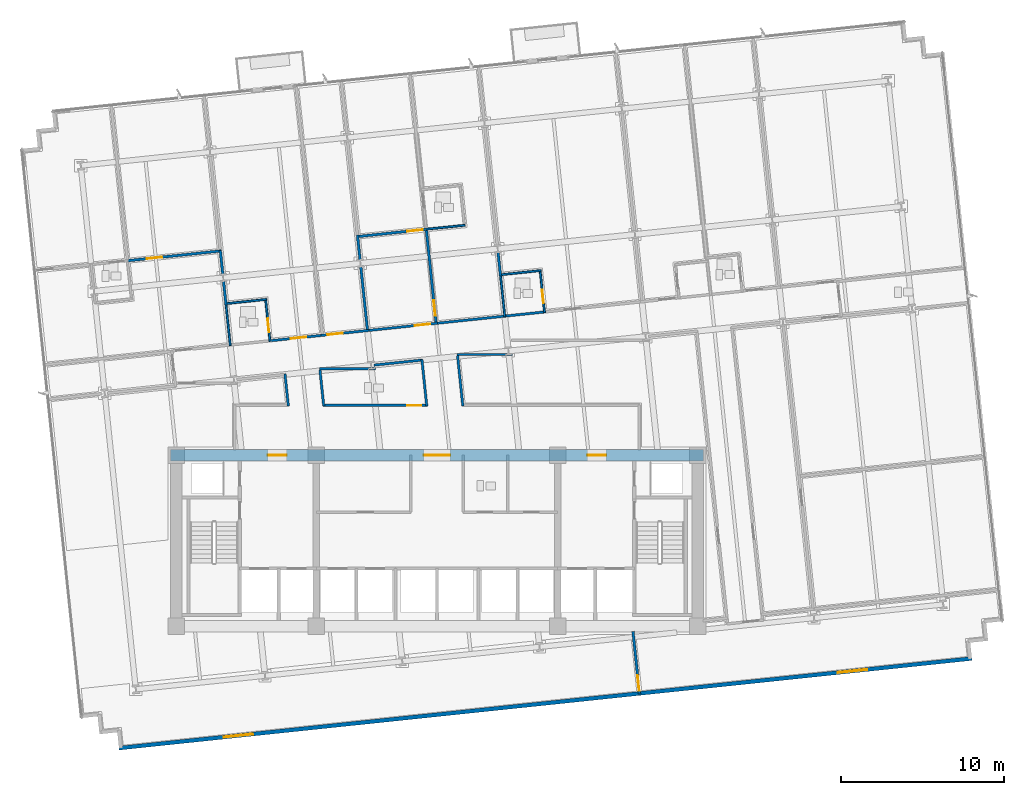
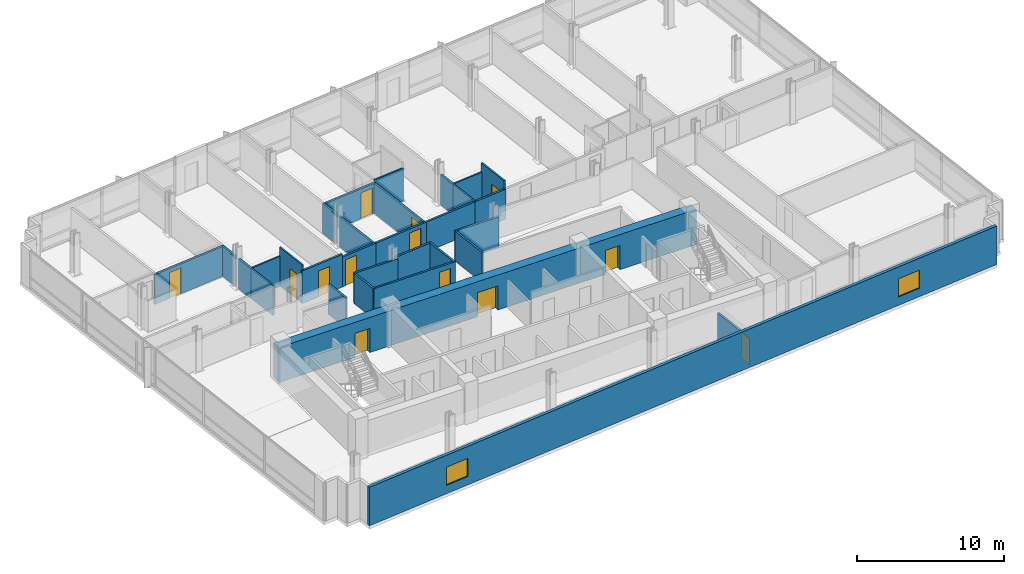
# One storey, part 11 of 19: 31 walls, 13 doors, 2 windows, 15 openings.
"""IFC4 building model written with IfcOpenShell, lengths in metres."""

from ifc_helpers import new_model, si_unit, direction, frame, frame_2d, origin, place, context, subcontext, project, spatial, rectangle, extrude, material, layer, layer_set, type_object, element, fill, save


model = new_model("IFC4")

# Units and contexts
model_context = context("Model", 3, precision=1e-05, world=origin(), true_north=direction((0.0, 1.0)))
body_context = subcontext(model_context, "Body", "Model", "MODEL_VIEW")
ifc_project = project(units=[si_unit("LENGTHUNIT", "METRE"), si_unit("AREAUNIT", "SQUARE_METRE"), si_unit("VOLUMEUNIT", "CUBIC_METRE"), si_unit("PLANEANGLEUNIT", "RADIAN"), si_unit("MASSUNIT", "GRAM", prefix="KILO")], contexts=[model_context])

# Site, building, storey
site_placement = place(None, origin())
site = spatial("IfcSite", under=ifc_project, at=site_placement, CompositionType="ELEMENT")
building_placement = place(site_placement, origin())
building = spatial("IfcBuilding", under=site, at=building_placement, Name="Solmavex Isthmus Hotel", CompositionType="ELEMENT")
storey_placement = place(building_placement, frame((0.0, 0.0, 83.550048828125)))
storey = spatial("IfcBuildingStorey", under=building, at=storey_placement, Name="L22", CompositionType="ELEMENT", Elevation=83.550048828125)

# Wall, openings, windows
ifc_material_1 = material(Name="Precast Concrete C40/50", Category="concrete")
ifc_layer_1 = layer(ifc_material_1, 0.25)
ifc_layer_set_1 = layer_set([ifc_layer_1], Name="Precast Concrete C40/50")
wall_type_1 = type_object("IfcWallType", Name="EW-TWR-250", PredefinedType="STANDARD", material=ifc_layer_set_1)
wall_1_placement = place(storey_placement, frame((-19.504150390625, -20.4716796875, 0.0), z_axis=(0.0, 0.0, 1.0), x_axis=(0.994521743132, 0.104529911687, 0.0)))
wall_1 = element("IfcWall", 1, at=wall_1_placement, inside=storey, type_object=wall_type_1, Name="Tower Rear South Facade Wall L22", PredefinedType="STANDARD", context=body_context, shape_type="SweptSolid", body=[
    extrude(rectangle(XDim=52.60009765625, YDim=0.239990234375, at=frame_2d((26.300048828125, 0.0))), origin(), (0.0, 0.0, 1.0), 3.18994140625),
])
opening_1_placement = place(wall_1_placement, frame((6.464111328125, 0.0, 0.699951171875)))
opening_1 = element("IfcOpeningElement", 2, at=opening_1_placement, cuts=wall_1, Name="Opening WN-02", PredefinedType="OPENING", context=body_context, shape_type="SweptSolid", body=[
    extrude(rectangle(XDim=1.800048828125, YDim=1.5, at=frame_2d((0.89990234375, 0.75))), frame((0.0, 0.1298828125, 0.0), z_axis=(0.0, -1.0, 0.0), x_axis=(1.0, 0.0, 0.0)), (0.0, 0.0, 1.0), 0.260009765625),
])
opening_2_placement = place(wall_1_placement, frame((44.3359375, 0.0, 0.699951171875)))
opening_2 = element("IfcOpeningElement", 3, at=opening_2_placement, cuts=wall_1, Name="Opening WN-02", PredefinedType="OPENING", context=body_context, shape_type="SweptSolid", body=[
    extrude(rectangle(XDim=1.800048828125, YDim=1.5, at=frame_2d((0.89990234375, 0.75))), frame((0.0, 0.1298828125, 0.0), z_axis=(0.0, -1.0, 0.0), x_axis=(1.0, 0.0, 0.0)), (0.0, 0.0, 1.0), 0.260009765625),
])
ifc_material_2 = material(Name="Clear low-E laminated glass", Category="glass")
window_type = type_object("IfcWindowType", Name="WIN-TWR-1800", PartitioningType="SINGLE_PANEL", PredefinedType="WINDOW", material=ifc_material_2)
window_1_placement = place(opening_1_placement, origin())
window_1 = element("IfcWindow", 4, at=window_1_placement, inside=storey, type_object=window_type, Name="South Facade Vision Window L22-S1", OverallHeight=1.5, OverallWidth=1.800048828125, PartitioningType="SINGLE_PANEL", PredefinedType="WINDOW", context=body_context, shape_type="SweptSolid", body=[
    extrude(rectangle(XDim=1.800048828125, YDim=1.5, at=frame_2d((0.89990234375, 0.75))), frame((0.0, 0.030029296875, 0.0), z_axis=(0.0, -1.0, 0.0), x_axis=(1.0, 0.0, 0.0)), (0.0, 0.0, 1.0), 0.06005859375),
])
fill(opening_1, window_1)
window_2_placement = place(opening_2_placement, origin())
window_2 = element("IfcWindow", 5, at=window_2_placement, inside=storey, type_object=window_type, Name="South Facade Vision Window L22-S2", OverallHeight=1.5, OverallWidth=1.800048828125, PartitioningType="SINGLE_PANEL", PredefinedType="WINDOW", context=body_context, shape_type="SweptSolid", body=[
    extrude(rectangle(XDim=1.800048828125, YDim=1.5, at=frame_2d((0.89990234375, 0.75))), frame((0.0, 0.030029296875, 0.0), z_axis=(0.0, -1.0, 0.0), x_axis=(1.0, 0.0, 0.0)), (0.0, 0.0, 1.0), 0.06005859375),
])
fill(opening_2, window_2)

# Wall, opening, door
ifc_material_3 = material(Name="Gypsum plasterboard lining", Category="gypsum")
ifc_layer_2 = layer(ifc_material_3, 0.159912109375)
ifc_layer_set_2 = layer_set([ifc_layer_2], Name="Gypsum plasterboard lining")
wall_type_2 = type_object("IfcWallType", Name="IW-COMP-160", PredefinedType="PARTITIONING", material=ifc_layer_set_2)
wall_2_placement = place(storey_placement, frame((-19.031982421875, 9.41943359375, 0.0), z_axis=(0.0, 0.0, 1.0), x_axis=(0.994518789978, 0.104558004858, 0.0)))
wall_2 = element("IfcWall", 6, at=wall_2_placement, inside=storey, type_object=wall_type_2, Name="Interior Partition Wall W-L22-P038", PredefinedType="PARTITIONING", context=body_context, shape_type="SweptSolid", body=[
    extrude(rectangle(XDim=5.814208984375, YDim=0.159912109375, at=frame_2d((2.9072265625, 0.0))), origin(), (0.0, 0.0, 1.0), 2.4794921875),
])
opening_3_placement = place(wall_2_placement, frame((1.227783203125, 0.0, 0.0)))
opening_3 = element("IfcOpeningElement", 7, at=opening_3_placement, cuts=wall_2, Name="Opening ID-C095", PredefinedType="OPENING", context=body_context, shape_type="SweptSolid", body=[
    extrude(rectangle(XDim=0.949951171875, YDim=2.14990234375, at=frame_2d((0.47509765625, 1.074951171875))), frame((0.0, 0.08984375, 0.0), z_axis=(0.0, -1.0, 0.0), x_axis=(1.0, 0.0, 0.0)), (0.0, 0.0, 1.0), 0.179931640625),
])
ifc_material_4 = material(Name="Hardwood timber", Category="wood")
door_type_1 = type_object("IfcDoorType", Name="IDR-FD60-0950", OperationType="NOTDEFINED", PredefinedType="DOOR", material=ifc_material_4)
door_1_placement = place(opening_3_placement, origin())
door_1 = element("IfcDoor", 8, at=door_1_placement, inside=storey, type_object=door_type_1, Name="Corner Botanical Suite Sitting Lounge Door L22-03", OperationType="SINGLE_SWING_LEFT", OverallHeight=2.14990234375, OverallWidth=0.949951171875, PredefinedType="DOOR", context=body_context, shape_type="SweptSolid", body=[
    extrude(rectangle(XDim=0.949951171875, YDim=2.14990234375, at=frame_2d((0.47509765625, 1.074951171875))), frame((0.0, 0.02490234375, 0.0), z_axis=(0.0, -1.0, 0.0), x_axis=(1.0, 0.0, 0.0)), (0.0, 0.0, 1.0), 0.050048828125),
])
fill(opening_3, door_1)

# Walls
wall_3_placement = place(storey_placement, frame((-13.293701171875, 10.062744140625, 0.0), z_axis=(0.0, 0.0, 1.0), x_axis=(0.104516863154, -0.994523114521, 0.0)))
element("IfcWall", 9, at=wall_3_placement, inside=storey, type_object=wall_type_2, Name="Interior Partition Wall W-L22-P043", PredefinedType="PARTITIONING", context=body_context, shape_type="SweptSolid", body=[
    extrude(rectangle(XDim=1.513671875, YDim=0.159912109375, at=frame_2d((0.7568359375, 0.0))), origin(), (0.0, 0.0, 1.0), 2.4794921875),
])
wall_4_placement = place(storey_placement, frame((-13.0986328125, 8.206787109375, 0.0), z_axis=(0.0, 0.0, 1.0), x_axis=(0.104566453663, -0.994517901683, 0.0)))
element("IfcWall", 10, at=wall_4_placement, inside=storey, type_object=wall_type_2, Name="Interior Partition Wall W-L22-P044", PredefinedType="PARTITIONING", context=body_context, shape_type="SweptSolid", body=[
    extrude(rectangle(XDim=1.503662109375, YDim=0.159912109375, at=frame_2d((0.751953125, 0.0))), origin(), (0.0, 0.0, 1.0), 2.4794921875),
])
wall_5_placement = place(storey_placement, frame((-4.87841796875, 10.989501953125, 0.0), z_axis=(0.0, 0.0, 1.0), x_axis=(0.104521394525, -0.994522638298, 0.0)))
element("IfcWall", 11, at=wall_5_placement, inside=storey, type_object=wall_type_2, Name="Interior Partition Wall W-L22-P054", PredefinedType="PARTITIONING", context=body_context, shape_type="SweptSolid", body=[
    extrude(rectangle(XDim=1.5556640625, YDim=0.159912109375, at=frame_2d((0.77783203125, 0.0))), origin(), (0.0, 0.0, 1.0), 2.4794921875),
])
wall_6_placement = place(storey_placement, frame((-4.678955078125, 9.091796875, 0.0), z_axis=(0.0, 0.0, 1.0), x_axis=(0.104491540593, -0.994525775405, 0.0)))
element("IfcWall", 12, at=wall_6_placement, inside=storey, type_object=wall_type_2, Name="Interior Partition Wall W-L22-P055", PredefinedType="PARTITIONING", context=body_context, shape_type="SweptSolid", body=[
    extrude(rectangle(XDim=4.01171875, YDim=0.159912109375, at=frame_2d((2.005859375, 0.0))), origin(), (0.0, 0.0, 1.0), 2.4794921875),
])

# Wall, opening, door
wall_7_placement = place(storey_placement, frame((-4.90966796875, 10.90380859375, 0.0), z_axis=(0.0, 0.0, 1.0), x_axis=(0.994519401846, 0.104552184826, 0.0)))
wall_7 = element("IfcWall", 13, at=wall_7_placement, inside=storey, type_object=wall_type_2, Name="Interior Partition Wall W-L22-P058", PredefinedType="PARTITIONING", context=body_context, shape_type="SweptSolid", body=[
    extrude(rectangle(XDim=4.31298828125, YDim=0.159912109375, at=frame_2d((2.156494140625, 0.0))), origin(), (0.0, 0.0, 1.0), 2.4794921875),
])
opening_4_placement = place(wall_7_placement, frame((3.103759765625, 0.0, 0.0)))
opening_4 = element("IfcOpeningElement", 14, at=opening_4_placement, cuts=wall_7, Name="Opening ID-C095", PredefinedType="OPENING", context=body_context, shape_type="SweptSolid", body=[
    extrude(rectangle(XDim=0.949951171875, YDim=2.14990234375, at=frame_2d((0.47509765625, 1.074951171875))), frame((0.0, 0.08984375, 0.0), z_axis=(0.0, -1.0, 0.0), x_axis=(1.0, 0.0, 0.0)), (0.0, 0.0, 1.0), 0.179931640625),
])
door_2_placement = place(opening_4_placement, origin())
door_2 = element("IfcDoor", 15, at=door_2_placement, inside=storey, type_object=door_type_1, Name="Diplomatic Suite Master Bedroom Door L22-09", OperationType="SINGLE_SWING_LEFT", OverallHeight=2.14990234375, OverallWidth=0.949951171875, PredefinedType="DOOR", context=body_context, shape_type="SweptSolid", body=[
    extrude(rectangle(XDim=0.949951171875, YDim=2.14990234375, at=frame_2d((0.47509765625, 1.074951171875))), frame((0.0, 0.02490234375, 0.0), z_axis=(0.0, -1.0, 0.0), x_axis=(1.0, 0.0, 0.0)), (0.0, 0.0, 1.0), 0.050048828125),
])
fill(opening_4, door_2)

wall_8_placement = place(storey_placement, frame((-0.665283203125, 11.400146484375, 0.0), z_axis=(0.0, 0.0, 1.0), x_axis=(0.104531535714, -0.994521572436, 0.0)))
wall_8 = element("IfcWall", 16, at=wall_8_placement, inside=storey, type_object=wall_type_2, Name="Interior Partition Wall W-L22-P059", PredefinedType="PARTITIONING", context=body_context, shape_type="SweptSolid", body=[
    extrude(rectangle(XDim=5.887939453125, YDim=0.159912109375, at=frame_2d((2.94384765625, 0.0))), origin(), (0.0, 0.0, 1.0), 2.4794921875),
])
opening_5_placement = place(wall_8_placement, frame((4.42041015625, 0.0, 0.0)))
opening_5 = element("IfcOpeningElement", 17, at=opening_5_placement, cuts=wall_8, Name="Opening ID-C095", PredefinedType="OPENING", context=body_context, shape_type="SweptSolid", body=[
    extrude(rectangle(XDim=0.949951171875, YDim=2.14990234375, at=frame_2d((0.47509765625, 1.074951171875))), frame((0.0, 0.08984375, 0.0), z_axis=(0.0, -1.0, 0.0), x_axis=(1.0, 0.0, 0.0)), (0.0, 0.0, 1.0), 0.179931640625),
])
door_3_placement = place(opening_5_placement, origin())
door_3 = element("IfcDoor", 18, at=door_3_placement, inside=storey, type_object=door_type_1, Name="Diplomatic Suite Living Lounge Door L22-10", OperationType="SINGLE_SWING_RIGHT", OverallHeight=2.14990234375, OverallWidth=0.949951171875, PredefinedType="DOOR", context=body_context, shape_type="SweptSolid", body=[
    extrude(rectangle(XDim=0.949951171875, YDim=2.14990234375, at=frame_2d((0.47509765625, 1.074951171875))), frame((0.0, 0.02490234375, 0.0), z_axis=(0.0, -1.0, 0.0), x_axis=(1.0, 0.0, 0.0)), (0.0, 0.0, 1.0), 0.050048828125),
])
fill(opening_5, door_3)

# Wall
wall_9_placement = place(storey_placement, frame((3.740478515625, 9.976806640625, 0.0), z_axis=(0.0, 0.0, 1.0), x_axis=(0.104549570968, -0.994519676633, 0.0)))
element("IfcWall", 19, at=wall_9_placement, inside=storey, type_object=wall_type_2, Name="Interior Partition Wall W-L22-P067", PredefinedType="PARTITIONING", context=body_context, shape_type="SweptSolid", body=[
    extrude(rectangle(XDim=1.50390625, YDim=0.159912109375, at=frame_2d((0.751953125, 0.0))), origin(), (0.0, 0.0, 1.0), 2.4794921875),
])

# Wall, opening, door
wall_10_placement = place(storey_placement, frame((12.42431640625, -17.156005859375, 0.0), z_axis=(0.0, 0.0, 1.0), x_axis=(-0.10455332221, 0.994519282274, 0.0)))
wall_10 = element("IfcWall", 20, at=wall_10_placement, inside=storey, type_object=wall_type_2, Name="Interior Partition Wall W-L22-P093", PredefinedType="PARTITIONING", context=body_context, shape_type="SweptSolid", body=[
    extrude(rectangle(XDim=3.866943359375, YDim=0.159912109375, at=frame_2d((1.93359375, 0.0))), origin(), (0.0, 0.0, 1.0), 2.224853515625),
])
opening_6_placement = place(wall_10_placement, frame((0.2099609375, 0.0, 0.0)))
opening_6 = element("IfcOpeningElement", 21, at=opening_6_placement, cuts=wall_10, Name="Opening ID-C095", PredefinedType="OPENING", context=body_context, shape_type="SweptSolid", body=[
    extrude(rectangle(XDim=0.949951171875, YDim=2.14990234375, at=frame_2d((0.47509765625, 1.074951171875))), frame((0.0, 0.08984375, 0.0), z_axis=(0.0, -1.0, 0.0), x_axis=(1.0, 0.0, 0.0)), (0.0, 0.0, 1.0), 0.179931640625),
])
door_4_placement = place(opening_6_placement, origin())
door_4 = element("IfcDoor", 22, at=door_4_placement, inside=storey, type_object=door_type_1, Name="Corporate Briefing Office Door L22-28", OperationType="SINGLE_SWING_RIGHT", OverallHeight=2.14990234375, OverallWidth=0.949951171875, PredefinedType="DOOR", context=body_context, shape_type="SweptSolid", body=[
    extrude(rectangle(XDim=0.949951171875, YDim=2.14990234375, at=frame_2d((0.47509765625, 1.074951171875))), frame((0.0, 0.02490234375, 0.0), z_axis=(0.0, -1.0, 0.0), x_axis=(1.0, 0.0, 0.0)), (0.0, 0.0, 1.0), 0.050048828125),
])
fill(opening_6, door_4)

ifc_layer_3 = layer(ifc_material_3, 0.14990234375)
ifc_layer_set_3 = layer_set([ifc_layer_3], Name="Gypsum plasterboard lining")
wall_type_3 = type_object("IfcWallType", Name="IW-CORR-150", PredefinedType="PARTITIONING", material=ifc_layer_set_3)
wall_11_placement = place(storey_placement, frame((-10.328369140625, 4.50439453125, 0.0), z_axis=(0.0, 0.0, 1.0), x_axis=(0.994525125504, 0.104497726007, 0.0)))
wall_11 = element("IfcWall", 23, at=wall_11_placement, inside=storey, type_object=wall_type_3, Name="Interior Partition Wall W-L22-P002", PredefinedType="PARTITIONING", context=body_context, shape_type="SweptSolid", body=[
    extrude(rectangle(XDim=3.39697265625, YDim=0.14990234375, at=frame_2d((1.698486328125, 0.0))), origin(), (0.0, 0.0, 1.0), 2.718017578125),
])
opening_7_placement = place(wall_11_placement, frame((1.36279296875, 0.0, 0.0)))
opening_7 = element("IfcOpeningElement", 24, at=opening_7_placement, cuts=wall_11, Name="Opening ID-C095", PredefinedType="OPENING", context=body_context, shape_type="SweptSolid", body=[
    extrude(rectangle(XDim=0.949951171875, YDim=2.14990234375, at=frame_2d((0.47509765625, 1.074951171875))), frame((0.0, 0.0849609375, 0.0), z_axis=(0.0, -1.0, 0.0), x_axis=(1.0, 0.0, 0.0)), (0.0, 0.0, 1.0), 0.169921875),
])
door_5_placement = place(opening_7_placement, origin())
door_5 = element("IfcDoor", 25, at=door_5_placement, inside=storey, type_object=door_type_1, Name="Premier Suite Door L22-05", OperationType="SINGLE_SWING_LEFT", OverallHeight=2.14990234375, OverallWidth=0.949951171875, PredefinedType="DOOR", context=body_context, shape_type="SweptSolid", body=[
    extrude(rectangle(XDim=0.949951171875, YDim=2.14990234375, at=frame_2d((0.47509765625, 1.074951171875))), frame((0.0, 0.02490234375, 0.0), z_axis=(0.0, -1.0, 0.0), x_axis=(1.0, 0.0, 0.0)), (0.0, 0.0, 1.0), 0.050048828125),
])
fill(opening_7, door_5)

wall_12_placement = place(storey_placement, frame((-7.11328125, 4.84228515625, 0.0), z_axis=(0.0, 0.0, 1.0), x_axis=(0.994519969094, 0.104546788921, 0.0)))
wall_12 = element("IfcWall", 26, at=wall_12_placement, inside=storey, type_object=wall_type_3, Name="Interior Partition Wall W-L22-P004", PredefinedType="PARTITIONING", context=body_context, shape_type="SweptSolid", body=[
    extrude(rectangle(XDim=2.947021484375, YDim=0.14990234375, at=frame_2d((1.4736328125, 0.0))), origin(), (0.0, 0.0, 1.0), 2.4794921875),
])
opening_8_placement = place(wall_12_placement, frame((0.396484375, 0.0, 0.0)))
opening_8 = element("IfcOpeningElement", 27, at=opening_8_placement, cuts=wall_12, Name="Opening ID-C095", PredefinedType="OPENING", context=body_context, shape_type="SweptSolid", body=[
    extrude(rectangle(XDim=0.949951171875, YDim=2.14990234375, at=frame_2d((0.47509765625, 1.074951171875))), frame((0.0, 0.0849609375, 0.0), z_axis=(0.0, -1.0, 0.0), x_axis=(1.0, 0.0, 0.0)), (0.0, 0.0, 1.0), 0.169921875),
])
door_6_placement = place(opening_8_placement, origin())
door_6 = element("IfcDoor", 28, at=door_6_placement, inside=storey, type_object=door_type_1, Name="Executive Meeting Room Door L22-07", OperationType="SINGLE_SWING_LEFT", OverallHeight=2.14990234375, OverallWidth=0.949951171875, PredefinedType="DOOR", context=body_context, shape_type="SweptSolid", body=[
    extrude(rectangle(XDim=0.949951171875, YDim=2.14990234375, at=frame_2d((0.47509765625, 1.074951171875))), frame((0.0, 0.02490234375, 0.0), z_axis=(0.0, -1.0, 0.0), x_axis=(1.0, 0.0, 0.0)), (0.0, 0.0, 1.0), 0.050048828125),
])
fill(opening_8, door_6)

wall_13_placement = place(storey_placement, frame((-4.345458984375, 5.13330078125, 0.0), z_axis=(0.0, 0.0, 1.0), x_axis=(0.994525514128, 0.104494027333, 0.0)))
wall_13 = element("IfcWall", 29, at=wall_13_placement, inside=storey, type_object=wall_type_3, Name="Interior Partition Wall W-L22-P005", PredefinedType="PARTITIONING", context=body_context, shape_type="SweptSolid", body=[
    extrude(rectangle(XDim=4.397216796875, YDim=0.14990234375, at=frame_2d((2.19873046875, 0.0))), origin(), (0.0, 0.0, 1.0), 2.4794921875),
])
opening_9_placement = place(wall_13_placement, frame((2.99267578125, 0.0, 0.0)))
opening_9 = element("IfcOpeningElement", 30, at=opening_9_placement, cuts=wall_13, Name="Opening ID-C095", PredefinedType="OPENING", context=body_context, shape_type="SweptSolid", body=[
    extrude(rectangle(XDim=0.949951171875, YDim=2.14990234375, at=frame_2d((0.47509765625, 1.074951171875))), frame((0.0, 0.0849609375, 0.0), z_axis=(0.0, -1.0, 0.0), x_axis=(1.0, 0.0, 0.0)), (0.0, 0.0, 1.0), 0.169921875),
])
door_7_placement = place(opening_9_placement, origin())
door_7 = element("IfcDoor", 31, at=door_7_placement, inside=storey, type_object=door_type_1, Name="Diplomatic Suite Entrance Hall Door L22-08", OperationType="SINGLE_SWING_RIGHT", OverallHeight=2.14990234375, OverallWidth=0.949951171875, PredefinedType="DOOR", context=body_context, shape_type="SweptSolid", body=[
    extrude(rectangle(XDim=0.949951171875, YDim=2.14990234375, at=frame_2d((0.47509765625, 1.074951171875))), frame((0.0, 0.02490234375, 0.0), z_axis=(0.0, -1.0, 0.0), x_axis=(1.0, 0.0, 0.0)), (0.0, 0.0, 1.0), 0.050048828125),
])
fill(opening_9, door_7)

# Walls
wall_14_placement = place(storey_placement, frame((-0.135498046875, 5.57568359375, 0.0), z_axis=(0.0, 0.0, 1.0), x_axis=(0.994519135661, 0.104554716791, 0.0)))
element("IfcWall", 32, at=wall_14_placement, inside=storey, type_object=wall_type_3, Name="Interior Partition Wall W-L22-P006", PredefinedType="PARTITIONING", context=body_context, shape_type="SweptSolid", body=[
    extrude(rectangle(XDim=4.39697265625, YDim=0.14990234375, at=frame_2d((2.198486328125, 0.0))), origin(), (0.0, 0.0, 1.0), 2.4794921875),
])
wall_15_placement = place(storey_placement, frame((4.07421875, 6.01806640625, 0.0), z_axis=(0.0, 0.0, 1.0), x_axis=(0.994523350694, 0.104514615837, 0.0)))
element("IfcWall", 33, at=wall_15_placement, inside=storey, type_object=wall_type_3, Name="Interior Partition Wall W-L22-P008", PredefinedType="PARTITIONING", context=body_context, shape_type="SweptSolid", body=[
    extrude(rectangle(XDim=2.614013671875, YDim=0.14990234375, at=frame_2d((1.30712890625, 0.0))), origin(), (0.0, 0.0, 1.0), 2.4794921875),
])
wall_16_placement = place(storey_placement, frame((-0.626708984375, 0.51025390625, 0.0), z_axis=(0.0, 0.0, 1.0), x_axis=(-0.104569907609, 0.994517538519, 0.0)))
element("IfcWall", 34, at=wall_16_placement, inside=storey, type_object=wall_type_3, Name="Interior Partition Wall W-L22-P014", PredefinedType="PARTITIONING", context=body_context, shape_type="SweptSolid", body=[
    extrude(rectangle(XDim=2.87646484375, YDim=0.14990234375, at=frame_2d((1.438232421875, 0.0))), origin(), (0.0, 0.0, 1.0), 2.4794921875),
])
wall_17_placement = place(storey_placement, frame((-0.883544921875, 3.335205078125, 0.0), z_axis=(0.0, 0.0, 1.0), x_axis=(-0.994522848096, -0.104519398272, 0.0)))
element("IfcWall", 35, at=wall_17_placement, inside=storey, type_object=wall_type_3, Name="Interior Partition Wall W-L22-P015", PredefinedType="PARTITIONING", context=body_context, shape_type="SweptSolid", body=[
    extrude(rectangle(XDim=2.996826171875, YDim=0.14990234375, at=frame_2d((1.49853515625, 0.0))), origin(), (0.0, 0.0, 1.0), 2.4794921875),
])
wall_18_placement = place(storey_placement, frame((-3.7841796875, 2.78857421875, 0.0), z_axis=(0.0, 0.0, 1.0), x_axis=(-1.0, 0.0, 0.0)))
element("IfcWall", 36, at=wall_18_placement, inside=storey, type_object=wall_type_3, Name="Interior Partition Wall W-L22-P016", PredefinedType="PARTITIONING", context=body_context, shape_type="SweptSolid", body=[
    extrude(rectangle(XDim=3.430419921875, YDim=0.14990234375, at=frame_2d((1.71533203125, 0.0))), origin(), (0.0, 0.0, 1.0), 2.4794921875),
])
wall_19_placement = place(storey_placement, frame((-7.178955078125, 2.7138671875, 0.0), z_axis=(0.0, 0.0, 1.0), x_axis=(0.104455355485, -0.994529576589, 0.0)))
element("IfcWall", 37, at=wall_19_placement, inside=storey, type_object=wall_type_3, Name="Interior Partition Wall W-L22-P017", PredefinedType="PARTITIONING", context=body_context, shape_type="SweptSolid", body=[
    extrude(rectangle(XDim=2.2158203125, YDim=0.14990234375, at=frame_2d((1.10791015625, 0.0))), origin(), (0.0, 0.0, 1.0), 2.4794921875),
])

# Wall, opening, door
wall_20_placement = place(storey_placement, frame((-6.99169921875, 0.550048828125, 0.0), z_axis=(0.0, 0.0, 1.0), x_axis=(1.0, 0.0, 0.0)))
wall_20 = element("IfcWall", 38, at=wall_20_placement, inside=storey, type_object=wall_type_3, Name="Interior Partition Wall W-L22-P018", PredefinedType="PARTITIONING", context=body_context, shape_type="SweptSolid", body=[
    extrude(rectangle(XDim=6.400634765625, YDim=0.14990234375, at=frame_2d((3.2001953125, 0.0))), origin(), (0.0, 0.0, 1.0), 2.4794921875),
])
opening_10_placement = place(wall_20_placement, frame((5.16455078125, 0.0, 0.0)))
opening_10 = element("IfcOpeningElement", 39, at=opening_10_placement, cuts=wall_20, Name="Opening ID-R085", PredefinedType="OPENING", context=body_context, shape_type="SweptSolid", body=[
    extrude(rectangle(XDim=0.85009765625, YDim=2.050048828125, at=frame_2d((0.425048828125, 1.02490234375))), frame((0.0, 0.0849609375, 0.0), z_axis=(0.0, -1.0, 0.0), x_axis=(1.0, 0.0, 0.0)), (0.0, 0.0, 1.0), 0.169921875),
])
ifc_material_5 = material(Name="Steel ASTM A500 Grade C", Category="steel")
door_type_2 = type_object("IfcDoorType", Name="IDR-FD60-0850", OperationType="NOTDEFINED", PredefinedType="DOOR", material=ifc_material_5)
door_8_placement = place(opening_10_placement, frame((0.85009765625, 0.0, 0.0), z_axis=(0.0, 0.0, 1.0), x_axis=(-1.0, 0.0, 0.0)))
door_8 = element("IfcDoor", 40, at=door_8_placement, inside=storey, type_object=door_type_2, Name="Accessible Public Restroom WC Door L22-19", OperationType="SINGLE_SWING_LEFT", OverallHeight=2.050048828125, OverallWidth=0.85009765625, PredefinedType="DOOR", context=body_context, shape_type="SweptSolid", body=[
    extrude(rectangle(XDim=0.85009765625, YDim=2.050048828125, at=frame_2d((0.425048828125, 1.02490234375))), frame((0.0, 0.02490234375, 0.0), z_axis=(0.0, -1.0, 0.0), x_axis=(1.0, 0.0, 0.0)), (0.0, 0.0, 1.0), 0.050048828125),
])
fill(opening_10, door_8)

# Walls
wall_21_placement = place(storey_placement, frame((4.635498046875, 3.673583984375, 0.0), z_axis=(0.0, 0.0, 1.0), x_axis=(-1.0, 0.0, 0.0)))
element("IfcWall", 41, at=wall_21_placement, inside=storey, type_object=wall_type_3, Name="Interior Partition Wall W-L22-P026", PredefinedType="PARTITIONING", context=body_context, shape_type="SweptSolid", body=[
    extrude(rectangle(XDim=3.41064453125, YDim=0.14990234375, at=frame_2d((1.705322265625, 0.0))), origin(), (0.0, 0.0, 1.0), 2.4794921875),
])
wall_22_placement = place(storey_placement, frame((1.260498046875, 3.600830078125, 0.0), z_axis=(0.0, 0.0, 1.0), x_axis=(0.104488483176, -0.994526096633, 0.0)))
element("IfcWall", 42, at=wall_22_placement, inside=storey, type_object=wall_type_3, Name="Interior Partition Wall W-L22-P027", PredefinedType="PARTITIONING", context=body_context, shape_type="SweptSolid", body=[
    extrude(rectangle(XDim=3.107666015625, YDim=0.14990234375, at=frame_2d((1.5537109375, 0.0))), origin(), (0.0, 0.0, 1.0), 2.4794921875),
])
wall_23_placement = place(storey_placement, frame((-9.119384765625, 0.51025390625, 0.0), z_axis=(0.0, 0.0, 1.0), x_axis=(-0.104473893665, 0.994527629351, 0.0)))
element("IfcWall", 43, at=wall_23_placement, inside=storey, type_object=wall_type_3, Name="Interior Partition Wall W-L22-P033", PredefinedType="PARTITIONING", context=body_context, shape_type="SweptSolid", body=[
    extrude(rectangle(XDim=1.98876953125, YDim=0.14990234375, at=frame_2d((0.994384765625, 0.0))), origin(), (0.0, 0.0, 1.0), 2.4794921875),
])
ifc_layer_4 = layer(ifc_material_3, 0.1201171875)
ifc_layer_set_4 = layer_set([ifc_layer_4], Name="Gypsum plasterboard lining")
wall_type_4 = type_object("IfcWallType", Name="IW-PART-120", PredefinedType="PARTITIONING", material=ifc_layer_set_4)
wall_24_placement = place(storey_placement, frame((-12.95849609375, 6.87451171875, 0.0), z_axis=(0.0, 0.0, 1.0), x_axis=(0.104523077253, -0.994522461447, 0.0)))
element("IfcWall", 44, at=wall_24_placement, inside=storey, type_object=wall_type_4, Name="Interior Partition Wall W-L22-P045", PredefinedType="PARTITIONING", context=body_context, shape_type="SweptSolid", body=[
    extrude(rectangle(XDim=2.672119140625, YDim=0.1201171875, at=frame_2d((1.3359375, 0.0))), origin(), (0.0, 0.0, 1.0), 2.4794921875),
])

# Wall, opening, door
wall_25_placement = place(storey_placement, frame((-10.24267578125, 4.47314453125, 0.0), z_axis=(0.0, 0.0, 1.0), x_axis=(-0.104520496269, 0.994522732701, 0.0)))
wall_25 = element("IfcWall", 45, at=wall_25_placement, inside=storey, type_object=wall_type_4, Name="Interior Partition Wall W-L22-P051", PredefinedType="PARTITIONING", context=body_context, shape_type="SweptSolid", body=[
    extrude(rectangle(XDim=2.630126953125, YDim=0.1201171875, at=frame_2d((1.31494140625, 0.0))), origin(), (0.0, 0.0, 1.0), 3.18994140625),
])
opening_11_placement = place(wall_25_placement, frame((0.568603515625, 0.0, 0.0)))
opening_11 = element("IfcOpeningElement", 46, at=opening_11_placement, cuts=wall_25, Name="Opening ID-U085", PredefinedType="OPENING", context=body_context, shape_type="SweptSolid", body=[
    extrude(rectangle(XDim=0.85009765625, YDim=2.10009765625, at=frame_2d((0.425048828125, 1.050048828125))), frame((0.0, 0.070068359375, 0.0), z_axis=(0.0, -1.0, 0.0), x_axis=(1.0, 0.0, 0.0)), (0.0, 0.0, 1.0), 0.14013671875),
])
door_type_3 = type_object("IfcDoorType", Name="IDR-UNR-0850", OperationType="NOTDEFINED", PredefinedType="DOOR", material=ifc_material_4)
door_9_placement = place(opening_11_placement, frame((0.85009765625, 0.0, 0.0), z_axis=(0.0, 0.0, 1.0), x_axis=(-1.0, 0.0, 0.0)))
door_9 = element("IfcDoor", 47, at=door_9_placement, inside=storey, type_object=door_type_3, Name="En-suite Bathroom Door L22-06", OperationType="SINGLE_SWING_RIGHT", OverallHeight=2.10009765625, OverallWidth=0.85009765625, PredefinedType="DOOR", context=body_context, shape_type="SweptSolid", body=[
    extrude(rectangle(XDim=0.85009765625, YDim=2.10009765625, at=frame_2d((0.425048828125, 1.050048828125))), frame((0.0, 0.02490234375, 0.0), z_axis=(0.0, -1.0, 0.0), x_axis=(1.0, 0.0, 0.0)), (0.0, 0.0, 1.0), 0.050048828125),
])
fill(opening_11, door_9)

# Walls
wall_26_placement = place(storey_placement, frame((-10.4736328125, 7.05322265625, 0.0), z_axis=(0.0, 0.0, 1.0), x_axis=(-0.994513909819, -0.104604412793, 0.0)))
element("IfcWall", 48, at=wall_26_placement, inside=storey, type_object=wall_type_4, Name="Interior Partition Wall W-L22-P052", PredefinedType="PARTITIONING", context=body_context, shape_type="SweptSolid", body=[
    extrude(rectangle(XDim=2.530029296875, YDim=0.1201171875, at=frame_2d((1.26513671875, 0.0))), origin(), (0.0, 0.0, 1.0), 2.4794921875),
])
wall_27_placement = place(storey_placement, frame((-0.700927734375, 11.3564453125, 0.0), z_axis=(0.0, 0.0, 1.0), x_axis=(0.994960299003, 0.100269653479, 0.0)))
element("IfcWall", 49, at=wall_27_placement, inside=storey, type_object=wall_type_4, Name="Interior Partition Wall W-L22-P062", PredefinedType="PARTITIONING", context=body_context, shape_type="SweptSolid", body=[
    extrude(rectangle(XDim=2.429931640625, YDim=0.1201171875, at=frame_2d((1.21484375, 0.0))), origin(), (0.0, 0.0, 1.0), 2.718017578125),
])
wall_28_placement = place(storey_placement, frame((3.880615234375, 8.644287109375, 0.0), z_axis=(0.0, 0.0, 1.0), x_axis=(0.104532575691, -0.994521463127, 0.0)))
element("IfcWall", 50, at=wall_28_placement, inside=storey, type_object=wall_type_4, Name="Interior Partition Wall W-L22-P068", PredefinedType="PARTITIONING", context=body_context, shape_type="SweptSolid", body=[
    extrude(rectangle(XDim=2.671875, YDim=0.1201171875, at=frame_2d((1.3359375, 0.0))), origin(), (0.0, 0.0, 1.0), 2.4794921875),
])

# Wall, opening, door
wall_29_placement = place(storey_placement, frame((6.596435546875, 6.242919921875, 0.0), z_axis=(0.0, 0.0, 1.0), x_axis=(-0.104520496269, 0.994522732701, 0.0)))
wall_29 = element("IfcWall", 51, at=wall_29_placement, inside=storey, type_object=wall_type_4, Name="Interior Partition Wall W-L22-P069", PredefinedType="PARTITIONING", context=body_context, shape_type="SweptSolid", body=[
    extrude(rectangle(XDim=2.630126953125, YDim=0.1201171875, at=frame_2d((1.31494140625, 0.0))), origin(), (0.0, 0.0, 1.0), 3.18994140625),
])
opening_12_placement = place(wall_29_placement, frame((0.568603515625, 0.0, 0.0)))
opening_12 = element("IfcOpeningElement", 52, at=opening_12_placement, cuts=wall_29, Name="Opening ID-U085", PredefinedType="OPENING", context=body_context, shape_type="SweptSolid", body=[
    extrude(rectangle(XDim=0.85009765625, YDim=2.10009765625, at=frame_2d((0.425048828125, 1.050048828125))), frame((0.0, 0.070068359375, 0.0), z_axis=(0.0, -1.0, 0.0), x_axis=(1.0, 0.0, 0.0)), (0.0, 0.0, 1.0), 0.14013671875),
])
door_10_placement = place(opening_12_placement, frame((0.85009765625, 0.0, 0.0), z_axis=(0.0, 0.0, 1.0), x_axis=(-1.0, 0.0, 0.0)))
door_10 = element("IfcDoor", 53, at=door_10_placement, inside=storey, type_object=door_type_3, Name="En-suite Bathroom Door L22-13", OperationType="SINGLE_SWING_LEFT", OverallHeight=2.10009765625, OverallWidth=0.85009765625, PredefinedType="DOOR", context=body_context, shape_type="SweptSolid", body=[
    extrude(rectangle(XDim=0.85009765625, YDim=2.10009765625, at=frame_2d((0.425048828125, 1.050048828125))), frame((0.0, 0.02490234375, 0.0), z_axis=(0.0, -1.0, 0.0), x_axis=(1.0, 0.0, 0.0)), (0.0, 0.0, 1.0), 0.050048828125),
])
fill(opening_12, door_10)

# Wall
wall_30_placement = place(storey_placement, frame((6.365478515625, 8.822998046875, 0.0), z_axis=(0.0, 0.0, 1.0), x_axis=(-0.994523944136, -0.104508968707, 0.0)))
element("IfcWall", 54, at=wall_30_placement, inside=storey, type_object=wall_type_4, Name="Interior Partition Wall W-L22-P070", PredefinedType="PARTITIONING", context=body_context, shape_type="SweptSolid", body=[
    extrude(rectangle(XDim=2.530029296875, YDim=0.1201171875, at=frame_2d((1.26513671875, 0.0))), origin(), (0.0, 0.0, 1.0), 2.4794921875),
])

# Wall, openings, doors
ifc_material_6 = material(Name="Concrete C60/75", Category="concrete")
ifc_layer_5 = layer(ifc_material_6, 0.699951171875)
ifc_layer_set_5 = layer_set([ifc_layer_5], Name="Concrete C60/75")
wall_type_5 = type_object("IfcWallType", Name="WALL-CW-700", PredefinedType="SHEAR", material=ifc_layer_set_5)
wall_31_placement = place(storey_placement, frame((-16.35009765625, -2.5, 0.0), z_axis=(0.0, 0.0, 1.0), x_axis=(1.0, 0.0, 0.0)))
wall_31 = element("IfcWall", 55, at=wall_31_placement, inside=storey, type_object=wall_type_5, Name="Core Shear Wall North L22", PredefinedType="SHEAR", context=body_context, shape_type="SweptSolid", body=[
    extrude(rectangle(XDim=32.7001953125, YDim=0.699951171875, at=frame_2d((16.35009765625, 0.0))), origin(), (0.0, 0.0, 1.0), 2.909912109375),
])
opening_13_placement = place(wall_31_placement, frame((5.97509765625, 0.0, 0.0)))
opening_13 = element("IfcOpeningElement", 56, at=opening_13_placement, cuts=wall_31, Name="Opening ID-F915", PredefinedType="OPENING", context=body_context, shape_type="SweptSolid", body=[
    extrude(rectangle(XDim=1.14990234375, YDim=2.0, at=frame_2d((0.574951171875, 1.0))), frame((0.0, 0.35986328125, 0.0), z_axis=(0.0, -1.0, 0.0), x_axis=(1.0, 0.0, 0.0)), (0.0, 0.0, 1.0), 0.719970703125),
])
opening_14_placement = place(wall_31_placement, frame((15.550048828125, 0.0, 0.0)))
opening_14 = element("IfcOpeningElement", 57, at=opening_14_placement, cuts=wall_31, Name="Opening ID-F960", PredefinedType="OPENING", context=body_context, shape_type="SweptSolid", body=[
    extrude(rectangle(XDim=1.60009765625, YDim=2.0, at=frame_2d((0.800048828125, 1.0))), frame((0.0, 0.35986328125, 0.0), z_axis=(0.0, -1.0, 0.0), x_axis=(1.0, 0.0, 0.0)), (0.0, 0.0, 1.0), 0.719970703125),
])
opening_15_placement = place(wall_31_placement, frame((25.574951171875, 0.0, 0.0)))
opening_15 = element("IfcOpeningElement", 58, at=opening_15_placement, cuts=wall_31, Name="Opening ID-F915", PredefinedType="OPENING", context=body_context, shape_type="SweptSolid", body=[
    extrude(rectangle(XDim=1.14990234375, YDim=2.0, at=frame_2d((0.574951171875, 1.0))), frame((0.0, 0.35986328125, 0.0), z_axis=(0.0, -1.0, 0.0), x_axis=(1.0, 0.0, 0.0)), (0.0, 0.0, 1.0), 0.719970703125),
])
door_type_4 = type_object("IfcDoorType", Name="IDR-FD90-1150C", OperationType="NOTDEFINED", PredefinedType="DOOR", material=ifc_material_5)
door_11_placement = place(opening_13_placement, origin())
door_11 = element("IfcDoor", 59, at=door_11_placement, inside=storey, type_object=door_type_4, Name="Firefighting Lobby West Exit Door L22", OperationType="SINGLE_SWING_LEFT", OverallHeight=2.0, OverallWidth=1.14990234375, PredefinedType="DOOR", context=body_context, shape_type="SweptSolid", body=[
    extrude(rectangle(XDim=1.14990234375, YDim=2.0, at=frame_2d((0.574951171875, 1.0))), frame((0.0, 0.02490234375, 0.0), z_axis=(0.0, -1.0, 0.0), x_axis=(1.0, 0.0, 0.0)), (0.0, 0.0, 1.0), 0.050048828125),
])
fill(opening_13, door_11)
door_12_placement = place(opening_15_placement, origin())
door_12 = element("IfcDoor", 60, at=door_12_placement, inside=storey, type_object=door_type_4, Name="Firefighting Lobby East Exit Door L22", OperationType="SINGLE_SWING_RIGHT", OverallHeight=2.0, OverallWidth=1.14990234375, PredefinedType="DOOR", context=body_context, shape_type="SweptSolid", body=[
    extrude(rectangle(XDim=1.14990234375, YDim=2.0, at=frame_2d((0.574951171875, 1.0))), frame((0.0, 0.02490234375, 0.0), z_axis=(0.0, -1.0, 0.0), x_axis=(1.0, 0.0, 0.0)), (0.0, 0.0, 1.0), 0.050048828125),
])
fill(opening_15, door_12)
door_type_5 = type_object("IfcDoorType", Name="IDR-FD90-1600C", OperationType="NOTDEFINED", PredefinedType="DOOR", material=ifc_material_5)
door_13_placement = place(opening_14_placement, origin())
door_13 = element("IfcDoor", 61, at=door_13_placement, inside=storey, type_object=door_type_5, Name="Central Lift Lobby Door L22", OperationType="DOUBLE_DOOR_SINGLE_SWING", OverallHeight=2.0, OverallWidth=1.60009765625, PredefinedType="DOOR", context=body_context, shape_type="SweptSolid", body=[
    extrude(rectangle(XDim=1.60009765625, YDim=2.0, at=frame_2d((0.800048828125, 1.0))), frame((0.0, 0.02490234375, 0.0), z_axis=(0.0, -1.0, 0.0), x_axis=(1.0, 0.0, 0.0)), (0.0, 0.0, 1.0), 0.050048828125),
])
fill(opening_14, door_13)

save(model, "model.ifc")
